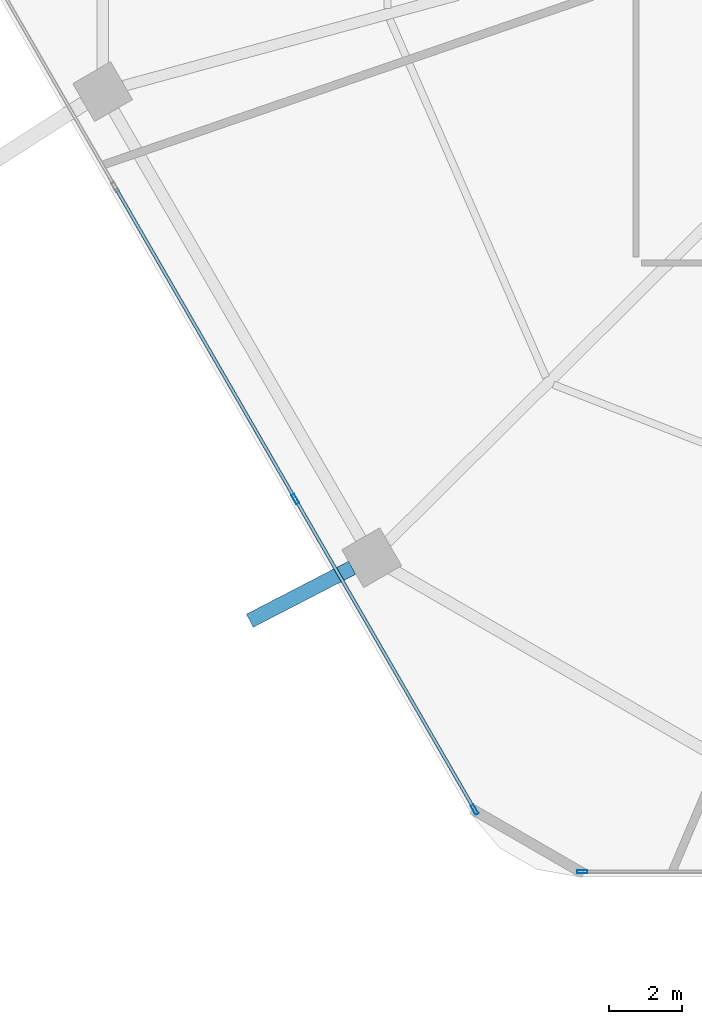
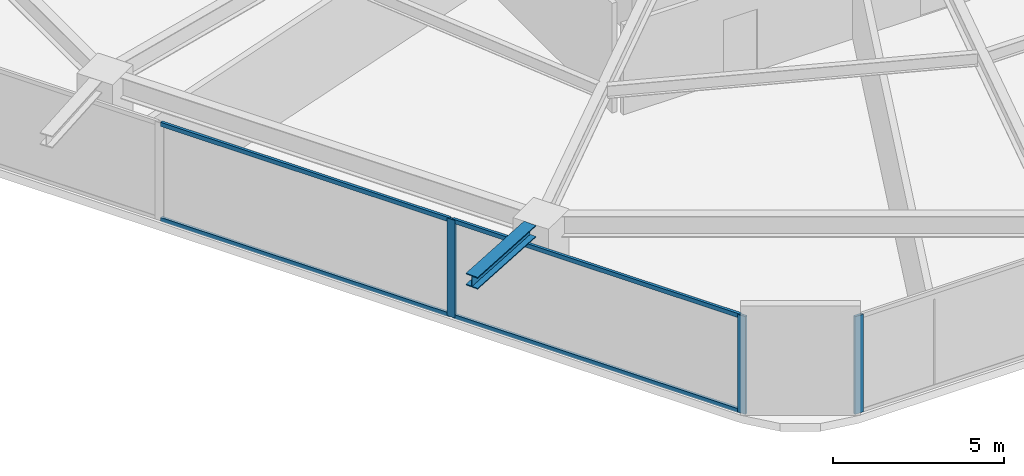
# One storey, part 2 of 25: 7 members, 1 beam, 2 elements without a shape of their own.
"""IFC4 building model written with IfcOpenShell, lengths in metres."""

import ifcopenshell
import ifcopenshell.guid

model = None  # the IFC model being written
_history = None  # IfcOwnerHistory: only IFC2X3 demands one
_inside = {}  # id of a spatial element -> (the spatial element, [elements in it])
_under = {}  # id of a project, library or spatial element -> (it, [spatial elements below it])
_declared = {}  # id of a project -> (the project, [libraries it declares])
_typed = {}  # id of a type object -> (the type object, [elements of that type])
_made_of = {}  # id of a material, layer set ... -> (it, [elements and type objects made of it])


def new_model(schema):
    """Start an empty IFC model of exactly this schema.

    Asked for "IFC4X3", IfcOpenShell would pick the latest addendum, in which some entities
    have other attributes; the version numbers below select the first issue.
    IFC2X3 requires an IfcOwnerHistory on every rooted entity: one is made here for all.
    """
    global model, _history
    if schema == "IFC4X3":
        model = ifcopenshell.file(schema_version=(4, 3, 0, 0))
    else:
        model = ifcopenshell.file(schema=schema)
    _inside.clear()
    _under.clear()
    _declared.clear()
    _typed.clear()
    _made_of.clear()
    _history = None
    if model.schema == "IFC2X3":
        org = make("IfcOrganization", Name="unknown")
        user = make(
            "IfcPersonAndOrganization",
            ThePerson=make("IfcPerson", FamilyName="unknown"),
            TheOrganization=org,
        )
        app = make(
            "IfcApplication",
            ApplicationDeveloper=org,
            Version="unknown",
            ApplicationFullName="unknown",
            ApplicationIdentifier="unknown",
        )
        _history = make(
            "IfcOwnerHistory",
            OwningUser=user,
            OwningApplication=app,
            ChangeAction="ADDED",
            CreationDate=0,
        )
    return model


def make(cls, **values):
    """One entity of the class cls with the attributes given. An attribute that is None is left unset."""
    return model.create_entity(
        cls, **{name: value for name, value in values.items() if value is not None}
    )


def rooted(cls, **values):
    """An entity with a GlobalId (a new one), such as an element, a storey or a relation."""
    return make(cls, GlobalId=ifcopenshell.guid.new(), OwnerHistory=_history, **values)


def si_unit(unit_type, name, prefix=None):
    """IfcSIUnit, for example si_unit("LENGTHUNIT", "METRE", prefix="MILLI")."""
    return make("IfcSIUnit", UnitType=unit_type, Prefix=prefix, Name=name)


def assignment(units):
    """IfcUnitAssignment: the units of a project."""
    return None if units is None else make("IfcUnitAssignment", Units=units)


def point(xyz):
    """IfcCartesianPoint."""
    return None if xyz is None else make("IfcCartesianPoint", Coordinates=xyz)


def direction(xyz):
    """IfcDirection."""
    return None if xyz is None else make("IfcDirection", DirectionRatios=xyz)


def frame(location, z_axis=None, x_axis=None):
    """IfcAxis2Placement3D, a coordinate frame: its origin and axes. An axis left out is left unset."""
    return make(
        "IfcAxis2Placement3D",
        Location=point(location),
        Axis=direction(z_axis),
        RefDirection=direction(x_axis),
    )


def frame_2d(location, x_axis=None):
    """IfcAxis2Placement2D, a coordinate frame in the plane: its origin and x axis."""
    return make(
        "IfcAxis2Placement2D", Location=point(location), RefDirection=direction(x_axis)
    )


def origin():
    """The frame at (0, 0, 0) with its axes left unset."""
    return frame((0.0, 0.0, 0.0))


def origin_2d():
    """The frame at (0, 0) in the plane with its x axis left unset."""
    return frame_2d((0.0, 0.0))


def place(relative_to, where):
    """IfcLocalPlacement: puts the frame where relative to a parent placement (None: the world)."""
    return make(
        "IfcLocalPlacement", PlacementRelTo=relative_to, RelativePlacement=where
    )


def context(
    kind, dimensions, precision=None, world=None, true_north=None, identifier=None
):
    """IfcGeometricRepresentationContext, for example the 3D "Model" context."""
    return make(
        "IfcGeometricRepresentationContext",
        ContextIdentifier=identifier,
        ContextType=kind,
        CoordinateSpaceDimension=dimensions,
        Precision=precision,
        WorldCoordinateSystem=world,
        TrueNorth=true_north,
    )


def subcontext(parent, identifier, kind, view, scale=None):
    """IfcGeometricRepresentationSubContext, for example "Body" below "Model"."""
    return make(
        "IfcGeometricRepresentationSubContext",
        ContextIdentifier=identifier,
        ContextType=kind,
        ParentContext=parent,
        TargetScale=scale,
        TargetView=view,
    )


def project(units=None, contexts=None):
    """IfcProject with its units and contexts."""
    return rooted(
        "IfcProject",
        Name="project",
        RepresentationContexts=contexts,
        UnitsInContext=assignment(units),
    )


def spatial(cls, under=None, at=None, **own):
    """A site, building, storey or space (cls), placed at a placement, below another one or the project."""
    s = rooted(cls, ObjectPlacement=at, **own)
    if under is not None:
        _under.setdefault(under.id(), (under, []))[1].append(s)
    return s


def profile(cls, at=None, kind="AREA", **sizes):
    """A parametric profile (cls). Its sizes go by their IFC names, for example OverallWidth=200.0."""
    return make(cls, ProfileType=kind, Position=at, **sizes)


def hollow_rectangle(**sizes):
    """IfcRectangleHollowProfileDef."""
    return profile("IfcRectangleHollowProfileDef", **sizes)


def i_section(**sizes):
    """IfcIShapeProfileDef."""
    return profile("IfcIShapeProfileDef", **sizes)


def extrude(swept, where, along, depth):
    """IfcExtrudedAreaSolid: the profile swept, set in the frame where, extruded along a direction by depth."""
    return make(
        "IfcExtrudedAreaSolid",
        SweptArea=swept,
        Position=where,
        ExtrudedDirection=direction(along),
        Depth=depth,
    )


def shape(context_of_items, identifier, shape_type, items):
    """IfcShapeRepresentation: the items that make up one representation, for example the "Body"."""
    return make(
        "IfcShapeRepresentation",
        ContextOfItems=context_of_items,
        RepresentationIdentifier=identifier,
        RepresentationType=shape_type,
        Items=items,
    )


def material(Name=None, Category=None):
    """IfcMaterial."""
    return make("IfcMaterial", Name=Name, Category=Category)


def material_profile(
    of_material, cross_section, Name=None, Category=None, Priority=None
):
    """IfcMaterialProfile: a cross section and its material."""
    return make(
        "IfcMaterialProfile",
        Name=Name,
        Material=of_material,
        Profile=cross_section,
        Priority=Priority,
        Category=Category,
    )


def profile_set(profiles, Name=None, composite=None):
    """IfcMaterialProfileSet."""
    return make(
        "IfcMaterialProfileSet",
        Name=Name,
        MaterialProfiles=profiles,
        CompositeProfile=composite,
    )


def made_of(thing, what):
    """Note that an element or type object is made of a material, layer set ...; save() writes the relation."""
    if what is not None:
        _made_of.setdefault(what.id(), (what, []))[1].append(thing)
    return thing


def type_object(cls, material=None, **own):
    """A type object (cls), such as IfcWallType, which elements share."""
    return made_of(rooted(cls, **own), material)


def element(
    cls,
    number,
    at=None,
    inside=None,
    cuts=None,
    type_object=None,
    material=None,
    context=None,
    identifier="Body",
    shape_type=None,
    held_by="IfcProductDefinitionShape",
    body=None,
    shapes=None,
    **own,
):
    """One element of the class cls, such as IfcWall. Its Tag is "e" and its number.

    at: its placement. inside: the storey or other place that contains it. cuts: it is an
    opening in that element (IfcRelVoidsElement). A single representation is given by context,
    identifier, shape_type and body (its items); several are given by shapes. held_by: the class
    of the entity that holds the representations. save() writes the other relations.
    """
    e = rooted(cls, Tag="e%d" % number, ObjectPlacement=at, **own)
    if body is not None:
        shapes = [shape(context, identifier, shape_type, body)]
    if shapes is not None:
        e.Representation = make(held_by, Representations=shapes)
    if inside is not None:
        _inside.setdefault(inside.id(), (inside, []))[1].append(e)
    if cuts is not None:
        rooted(
            "IfcRelVoidsElement", RelatingBuildingElement=cuts, RelatedOpeningElement=e
        )
    if type_object is not None:
        _typed.setdefault(type_object.id(), (type_object, []))[1].append(e)
    return made_of(e, material)


def aggregate(whole, parts):
    """IfcRelAggregates: a whole, such as a stair, and the parts it consists of."""
    return rooted("IfcRelAggregates", RelatingObject=whole, RelatedObjects=parts)


def save(model, path):
    """Write the relations noted so far, then the file.

    IfcRelAggregates (storeys below a building ...), IfcRelContainedInSpatialStructure (elements
    in a storey), IfcRelDefinesByType, IfcRelAssociatesMaterial and IfcRelDeclares: one each for
    every whole, place, type object, material and project.
    """
    for whole, parts in _under.values():
        aggregate(whole, parts)
    for where, things in _inside.values():
        rooted(
            "IfcRelContainedInSpatialStructure",
            RelatedElements=things,
            RelatingStructure=where,
        )
    for kind, things in _typed.values():
        rooted("IfcRelDefinesByType", RelatedObjects=things, RelatingType=kind)
    for what, things in _made_of.values():
        rooted("IfcRelAssociatesMaterial", RelatedObjects=things, RelatingMaterial=what)
    for by, libraries in _declared.values():
        rooted("IfcRelDeclares", RelatingContext=by, RelatedDefinitions=libraries)
    model.write(path)


model = new_model("IFC4")

# Units and contexts
model_context = context("Model", 3, precision=1e-05, world=origin(), true_north=direction((0.0, 1.0)))
body_context = subcontext(model_context, "Body", "Model", "MODEL_VIEW")
ifc_project = project(units=[si_unit("LENGTHUNIT", "METRE"), si_unit("AREAUNIT", "SQUARE_METRE"), si_unit("VOLUMEUNIT", "CUBIC_METRE"), si_unit("PLANEANGLEUNIT", "RADIAN"), si_unit("MASSUNIT", "GRAM", prefix="KILO")], contexts=[model_context])

# Site, building, storey
site_placement = place(None, origin())
site = spatial("IfcSite", under=ifc_project, at=site_placement, CompositionType="ELEMENT")
building_placement = place(site_placement, origin())
building = spatial("IfcBuilding", under=site, at=building_placement, Name="Zuhravey Tower", CompositionType="ELEMENT")
storey_placement = place(building_placement, frame((0.0, 0.0, 62.39990234375)))
storey = spatial("IfcBuildingStorey", under=building, at=storey_placement, Name="L15", CompositionType="ELEMENT", Elevation=62.39990234375)

# Curtain wall, member
ifc_material_1 = material(Name="Thermally broken anodised aluminium", Category="aluminium")
curtain_wall_type = type_object("IfcCurtainWallType", Name="School Low-E Unitised Curtain Wall CW1", PredefinedType="NOTDEFINED", material=ifc_material_1)
curtain_wall_1_placement = place(storey_placement, origin())
curtain_wall_1 = element("IfcCurtainWall", 1, at=curtain_wall_1_placement, inside=storey, type_object=curtain_wall_type, Name="L15 CW1 CW-L15-F5-1", PredefinedType="NOTDEFINED")
ifc_material_2 = material(Name="Anodised aluminium", Category="aluminium")
ifc_material_profile_1 = material_profile(ifc_material_2, hollow_rectangle(XDim=0.090087890625, YDim=0.284912109375, WallThickness=0.0048828125, at=origin_2d()), Name="ALU-RHS-90x285x5")
ifc_profile_set_1 = profile_set([ifc_material_profile_1], Name="Anodised aluminium")
member_type_1 = type_object("IfcMemberType", Name="Curtain-Wall Mullion 90x180", PredefinedType="MULLION", material=ifc_profile_set_1)
member_1_placement = place(storey_placement, frame((21.24560546875, 3.04150390625, 0.0), z_axis=(0.0, 0.0, 1.0), x_axis=(0.0, -1.0, 0.0)))
member_1 = element("IfcMember", 2, at=member_1_placement, type_object=member_type_1, Name="CW1 mullion 4", PredefinedType="MULLION", context=body_context, shape_type="SweptSolid", body=[
    extrude(hollow_rectangle(XDim=0.090087890625, YDim=0.284912109375, WallThickness=0.0048828125, at=origin_2d()), origin(), (0.0, 0.0, 1.0), 3.4921875),
])
aggregate(curtain_wall_1, [member_1])

# Curtain wall, members
curtain_wall_2_placement = place(storey_placement, origin())
curtain_wall_2 = element("IfcCurtainWall", 3, at=curtain_wall_2_placement, inside=storey, type_object=curtain_wall_type, Name="L15 CW1 CW-L15-F4-1", PredefinedType="NOTDEFINED")
member_2_placement = place(storey_placement, frame((18.298583984375, 4.742919921875, 0.0), z_axis=(0.0, 0.0, 1.0), x_axis=(-0.86602552265, -0.499999794119, 0.0)))
member_2 = element("IfcMember", 4, at=member_2_placement, type_object=member_type_1, Name="CW1 mullion 1", PredefinedType="MULLION", context=body_context, shape_type="SweptSolid", body=[
    extrude(hollow_rectangle(XDim=0.090087890625, YDim=0.284912109375, WallThickness=0.0048828125, at=origin_2d()), origin(), (0.0, 0.0, 1.0), 3.4921875),
])
member_3_placement = place(storey_placement, frame((13.387939453125, 13.24853515625, 0.0), z_axis=(0.0, 0.0, 1.0), x_axis=(-0.86602552265, -0.499999794119, 0.0)))
member_3 = element("IfcMember", 5, at=member_3_placement, type_object=member_type_1, Name="CW1 mullion 2", PredefinedType="MULLION", context=body_context, shape_type="SweptSolid", body=[
    extrude(hollow_rectangle(XDim=0.090087890625, YDim=0.284912109375, WallThickness=0.0048828125, at=origin_2d()), origin(), (0.0, 0.0, 1.0), 3.4921875),
])
ifc_material_profile_2 = material_profile(ifc_material_2, hollow_rectangle(XDim=0.090087890625, YDim=0.14990234375, WallThickness=0.0048828125, at=origin_2d()), Name="ALU-RHS-90x150x5")
ifc_profile_set_2 = profile_set([ifc_material_profile_2], Name="Anodised aluminium")
member_type_2 = type_object("IfcMemberType", Name="Curtain-Wall Transom 90x150", PredefinedType="USERDEFINED", material=ifc_profile_set_2)
member_4_placement = place(storey_placement, frame((18.27587890625, 4.781982421875, 0.045166015625), z_axis=(-0.499989576763, 0.86603142156, 0.0), x_axis=(-0.86603142156, -0.499989576763, 0.0)))
member_4 = element("IfcMember", 6, at=member_4_placement, type_object=member_type_2, Name="CW1 transom 1.1", ObjectType="TRANSOM", PredefinedType="USERDEFINED", context=body_context, shape_type="SweptSolid", body=[
    extrude(hollow_rectangle(XDim=0.090087890625, YDim=0.14990234375, WallThickness=0.0048828125, at=origin_2d()), origin(), (0.0, 0.0, 1.0), 9.731201171875),
])
member_5_placement = place(storey_placement, frame((18.27587890625, 4.781982421875, 3.447021484375), z_axis=(-0.499989576763, 0.86603142156, 0.0), x_axis=(-0.86603142156, -0.499989576763, 0.0)))
member_5 = element("IfcMember", 7, at=member_5_placement, type_object=member_type_2, Name="CW1 transom 1.2", ObjectType="TRANSOM", PredefinedType="USERDEFINED", context=body_context, shape_type="SweptSolid", body=[
    extrude(hollow_rectangle(XDim=0.090087890625, YDim=0.14990234375, WallThickness=0.0048828125, at=origin_2d()), origin(), (0.0, 0.0, 1.0), 9.731201171875),
])
member_6_placement = place(storey_placement, frame((13.365234375, 13.287353515625, 0.045166015625), z_axis=(-0.499990498062, 0.866030889661, 0.0), x_axis=(-0.866030889661, -0.499990498062, 0.0)))
member_6 = element("IfcMember", 8, at=member_6_placement, type_object=member_type_2, Name="CW1 transom 2.1", ObjectType="TRANSOM", PredefinedType="USERDEFINED", context=body_context, shape_type="SweptSolid", body=[
    extrude(hollow_rectangle(XDim=0.090087890625, YDim=0.14990234375, WallThickness=0.0048828125, at=origin_2d()), origin(), (0.0, 0.0, 1.0), 9.776611328125),
])
member_7_placement = place(storey_placement, frame((13.365234375, 13.287353515625, 3.447021484375), z_axis=(-0.499990498062, 0.866030889661, 0.0), x_axis=(-0.866030889661, -0.499990498062, 0.0)))
member_7 = element("IfcMember", 9, at=member_7_placement, type_object=member_type_2, Name="CW1 transom 2.2", ObjectType="TRANSOM", PredefinedType="USERDEFINED", context=body_context, shape_type="SweptSolid", body=[
    extrude(hollow_rectangle(XDim=0.090087890625, YDim=0.14990234375, WallThickness=0.0048828125, at=origin_2d()), origin(), (0.0, 0.0, 1.0), 9.776611328125),
])
aggregate(curtain_wall_2, [member_2, member_3, member_4, member_5, member_6, member_7])

# Beam
ifc_material_3 = material(Name="Steel SM460", Category="steel")
ifc_material_profile_3 = material_profile(ifc_material_3, i_section(OverallWidth=0.406982421875, OverallDepth=0.427978515625, WebThickness=0.02001953125, FlangeThickness=0.034912109375, at=origin_2d()), Name="H-428x407x20x35")
ifc_profile_set_3 = profile_set([ifc_material_profile_3], Name="Steel SM460")
beam_type = type_object("IfcBeamType", Name="Exoskeleton Node Tie Beam H428x407", PredefinedType="BEAM", material=ifc_profile_set_3)
beam_placement = place(storey_placement, frame((14.94384765625, 11.365478515625, 3.7060546875), z_axis=(-0.888436426632, -0.458999690449, 0.0), x_axis=(0.458999690449, -0.888436426632, 0.0)))
element("IfcBeam", 10, at=beam_placement, inside=storey, type_object=beam_type, Name="L15 Exoskeleton Node Tie NT1-08", PredefinedType="BEAM", context=body_context, shape_type="SweptSolid", body=[
    extrude(i_section(OverallWidth=0.406982421875, OverallDepth=0.427978515625, WebThickness=0.02001953125, FlangeThickness=0.034912109375, at=origin_2d()), origin(), (0.0, 0.0, 1.0), 3.15478515625),
])

save(model, "model.ifc")
